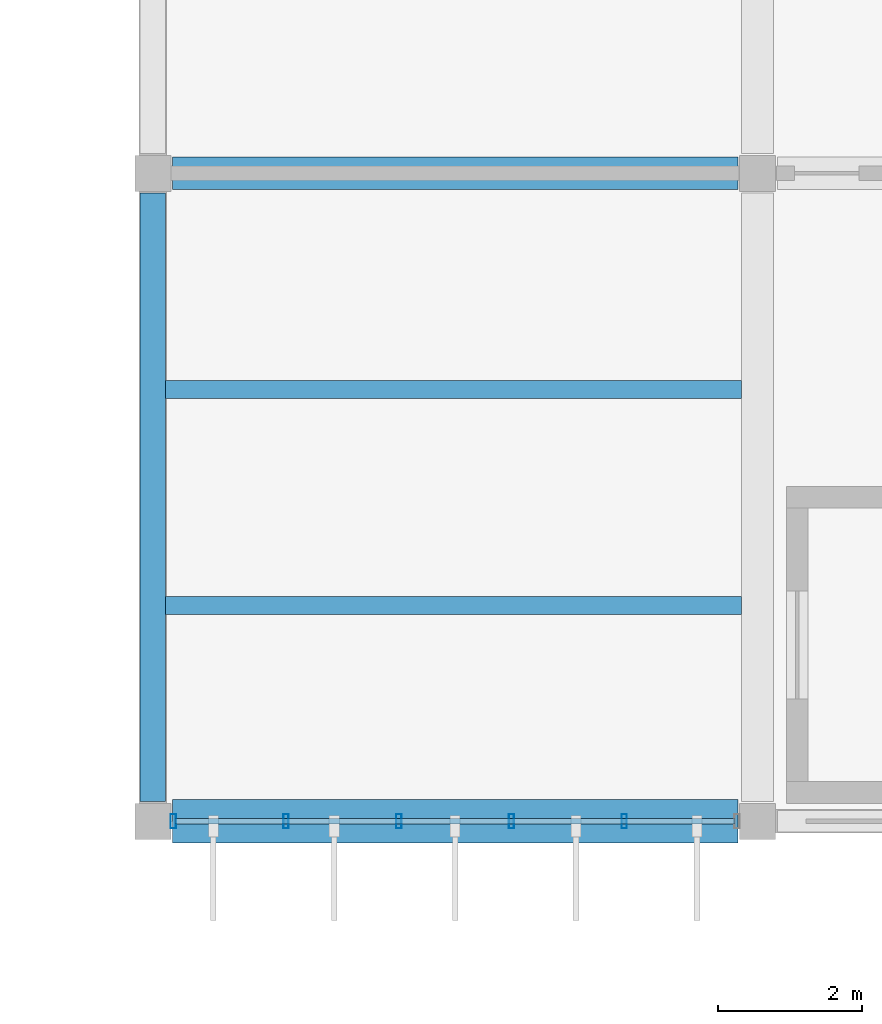
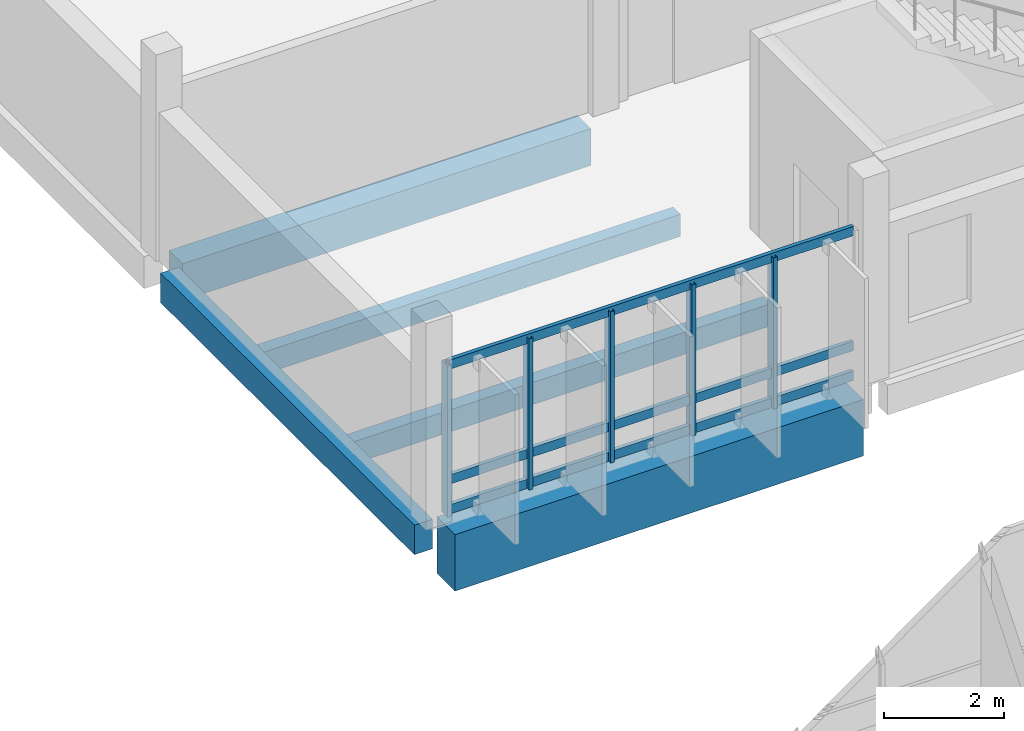
# One storey, part 36 of 107: 8 members, 5 beams, 1 element without a shape of its own.
"""IFC4 building model written with IfcOpenShell, lengths in metres."""

from ifc_helpers import new_model, si_unit, direction, frame, origin, origin_2d, place, context, subcontext, project, spatial, rectangle, hollow_rectangle, extrude, material, layer, layer_set, material_profile, profile_set, type_object, element, aggregate, save


model = new_model("IFC4")

# Units and contexts
model_context = context("Model", 3, precision=1e-05, world=origin(), true_north=direction((0.0, 1.0)))
body_context = subcontext(model_context, "Body", "Model", "MODEL_VIEW")
ifc_project = project(units=[si_unit("LENGTHUNIT", "METRE"), si_unit("AREAUNIT", "SQUARE_METRE"), si_unit("VOLUMEUNIT", "CUBIC_METRE"), si_unit("PLANEANGLEUNIT", "RADIAN"), si_unit("MASSUNIT", "GRAM", prefix="KILO")], contexts=[model_context])

# Site, building, storey
site_placement = place(None, origin())
site = spatial("IfcSite", under=ifc_project, at=site_placement, CompositionType="ELEMENT")
building_placement = place(site_placement, origin())
building = spatial("IfcBuilding", under=site, at=building_placement, Name="Vireocrest Preparatory School", CompositionType="ELEMENT")
storey_placement = place(building_placement, frame((0.0, 0.0, 13.199951171875)))
storey = spatial("IfcBuildingStorey", under=building, at=storey_placement, Name="L03", CompositionType="ELEMENT", Elevation=13.199951171875)

# Curtain wall, members
ifc_material_1 = material(Name="Thermally broken aluminium EN AW-6063-T6", Category="aluminium")
ifc_layer = layer(ifc_material_1, 0.179931640625)
ifc_layer_set = layer_set([ifc_layer], Name="Thermally broken aluminium EN AW-6063-T6")
curtain_wall_type = type_object("IfcCurtainWallType", Name="Botanical Lab Glazing 8400x3400", PredefinedType="USERDEFINED", material=ifc_layer_set)
curtain_wall_placement = place(storey_placement, origin())
curtain_wall = element("IfcCurtainWall", 1, at=curtain_wall_placement, inside=storey, type_object=curtain_wall_type, Name="Curtain Wall CW15 CW_L03_CW15_0422_0948_132", ObjectType="CURTAIN WALL", PredefinedType="USERDEFINED")
ifc_material_profile_1 = material_profile(ifc_material_1, hollow_rectangle(XDim=0.074951171875, YDim=0.199951171875, WallThickness=0.0048828125, at=origin_2d()), Name="ALU 75x200x5")
ifc_profile_set_1 = profile_set([ifc_material_profile_1], Name="Thermally broken aluminium EN AW-6063-T6")
member_type_1 = type_object("IfcMemberType", Name="CW Mullion 75x200x5", PredefinedType="MULLION", material=ifc_profile_set_1)
member_1_placement = place(storey_placement, frame((42.284912109375, 94.800048828125, 0.0), z_axis=(0.0, 0.0, 1.0), x_axis=(1.0, 0.0, 0.0)))
member_1 = element("IfcMember", 2, at=member_1_placement, type_object=member_type_1, Name="CW Mullion ML3 CW_L03_CW15_0422_0948_132-1", PredefinedType="MULLION", context=body_context, shape_type="SweptSolid", body=[
    extrude(hollow_rectangle(XDim=0.074951171875, YDim=0.199951171875, WallThickness=0.0048828125, at=origin_2d()), origin(), (0.0, 0.0, 1.0), 3.074951171875),
])
member_2_placement = place(storey_placement, frame((43.85107421875, 94.800048828125, 0.0), z_axis=(0.0, 0.0, 1.0), x_axis=(1.0, 0.0, 0.0)))
member_2 = element("IfcMember", 3, at=member_2_placement, type_object=member_type_1, Name="CW Mullion ML3 CW_L03_CW15_0422_0948_132-2", PredefinedType="MULLION", context=body_context, shape_type="SweptSolid", body=[
    extrude(hollow_rectangle(XDim=0.074951171875, YDim=0.199951171875, WallThickness=0.0048828125, at=origin_2d()), origin(), (0.0, 0.0, 1.0), 3.074951171875),
])
member_3_placement = place(storey_placement, frame((45.4169921875, 94.800048828125, 0.0), z_axis=(0.0, 0.0, 1.0), x_axis=(1.0, 0.0, 0.0)))
member_3 = element("IfcMember", 4, at=member_3_placement, type_object=member_type_1, Name="CW Mullion ML3 CW_L03_CW15_0422_0948_132-3", PredefinedType="MULLION", context=body_context, shape_type="SweptSolid", body=[
    extrude(hollow_rectangle(XDim=0.074951171875, YDim=0.199951171875, WallThickness=0.0048828125, at=origin_2d()), origin(), (0.0, 0.0, 1.0), 3.074951171875),
])
member_4_placement = place(storey_placement, frame((46.98291015625, 94.800048828125, 0.0), z_axis=(0.0, 0.0, 1.0), x_axis=(1.0, 0.0, 0.0)))
member_4 = element("IfcMember", 5, at=member_4_placement, type_object=member_type_1, Name="CW Mullion ML3 CW_L03_CW15_0422_0948_132-4", PredefinedType="MULLION", context=body_context, shape_type="SweptSolid", body=[
    extrude(hollow_rectangle(XDim=0.074951171875, YDim=0.199951171875, WallThickness=0.0048828125, at=origin_2d()), origin(), (0.0, 0.0, 1.0), 3.074951171875),
])
member_5_placement = place(storey_placement, frame((48.549072265625, 94.800048828125, 0.0), z_axis=(0.0, 0.0, 1.0), x_axis=(1.0, 0.0, 0.0)))
member_5 = element("IfcMember", 6, at=member_5_placement, type_object=member_type_1, Name="CW Mullion ML3 CW_L03_CW15_0422_0948_132-5", PredefinedType="MULLION", context=body_context, shape_type="SweptSolid", body=[
    extrude(hollow_rectangle(XDim=0.074951171875, YDim=0.199951171875, WallThickness=0.0048828125, at=origin_2d()), origin(), (0.0, 0.0, 1.0), 3.074951171875),
])
ifc_material_profile_2 = material_profile(ifc_material_1, hollow_rectangle(XDim=0.074951171875, YDim=0.18994140625, WallThickness=0.00390625, at=origin_2d()), Name="ALU 75x190x4")
ifc_profile_set_2 = profile_set([ifc_material_profile_2], Name="Thermally broken aluminium EN AW-6063-T6")
member_type_2 = type_object("IfcMemberType", Name="CW Transom 75x190x4", PredefinedType="USERDEFINED", material=ifc_profile_set_2)
member_6_placement = place(storey_placement, frame((42.31005859375, 94.800048828125, 0.094970703125), z_axis=(1.0, 0.0, 0.0), x_axis=(0.0, 1.0, 0.0)))
member_6 = element("IfcMember", 7, at=member_6_placement, type_object=member_type_2, Name="CW Transom TR3 CW_L03_CW15_0422_0948_132-1", ObjectType="TRANSOM", PredefinedType="USERDEFINED", context=body_context, shape_type="SweptSolid", body=[
    extrude(hollow_rectangle(XDim=0.074951171875, YDim=0.18994140625, WallThickness=0.00390625, at=origin_2d()), origin(), (0.0, 0.0, 1.0), 7.780029296875),
])
member_7_placement = place(storey_placement, frame((42.31005859375, 94.800048828125, 0.699951171875), z_axis=(1.0, 0.0, 0.0), x_axis=(0.0, 1.0, 0.0)))
member_7 = element("IfcMember", 8, at=member_7_placement, type_object=member_type_2, Name="CW Transom TR3 CW_L03_CW15_0422_0948_132-2", ObjectType="TRANSOM", PredefinedType="USERDEFINED", context=body_context, shape_type="SweptSolid", body=[
    extrude(hollow_rectangle(XDim=0.074951171875, YDim=0.18994140625, WallThickness=0.00390625, at=origin_2d()), origin(), (0.0, 0.0, 1.0), 7.780029296875),
])
member_8_placement = place(storey_placement, frame((42.31005859375, 94.800048828125, 3.03515625), z_axis=(1.0, 0.0, 0.0), x_axis=(0.0, 1.0, 0.0)))
member_8 = element("IfcMember", 9, at=member_8_placement, type_object=member_type_2, Name="CW Transom TR3 CW_L03_CW15_0422_0948_132-3", ObjectType="TRANSOM", PredefinedType="USERDEFINED", context=body_context, shape_type="SweptSolid", body=[
    extrude(hollow_rectangle(XDim=0.074951171875, YDim=0.18994140625, WallThickness=0.00390625, at=origin_2d()), origin(), (0.0, 0.0, 1.0), 7.780029296875),
])
aggregate(curtain_wall, [member_1, member_2, member_3, member_4, member_5, member_6, member_7, member_8])

# Beams
ifc_material_2 = material(Name="Concrete 40 MPa", Category="concrete")
ifc_material_profile_3 = material_profile(ifc_material_2, rectangle(XDim=0.35009765625, YDim=0.60009765625, at=origin_2d()), Name="RC 350x600")
ifc_profile_set_3 = profile_set([ifc_material_profile_3], Name="Concrete 40 MPa")
beam_type_1 = type_object("IfcBeamType", Name="RC Classroom Girder 350x600", PredefinedType="BEAM", material=ifc_profile_set_3)
beam_1_placement = place(storey_placement, frame((42.0, 95.074951171875, -0.5400390625), z_axis=(0.0, 1.0, 0.0), x_axis=(-1.0, 0.0, 0.0)))
element("IfcBeam", 10, at=beam_1_placement, inside=storey, type_object=beam_type_1, Name="Primary Girder B04 L03-1113", PredefinedType="BEAM", context=body_context, shape_type="SweptSolid", body=[
    extrude(rectangle(XDim=0.35009765625, YDim=0.60009765625, at=origin_2d()), origin(), (0.0, 0.0, 1.0), 8.449951171875),
])
ifc_material_profile_4 = material_profile(ifc_material_2, rectangle(XDim=0.60009765625, YDim=1.14990234375, at=origin_2d()), Name="RC 600x1150")
ifc_profile_set_4 = profile_set([ifc_material_profile_4], Name="Concrete 40 MPa")
beam_type_2 = type_object("IfcBeamType", Name="RC Heavy Transfer Girder 600x1150", PredefinedType="BEAM", material=ifc_profile_set_4)
beam_2_placement = place(storey_placement, frame((42.27490234375, 94.800048828125, -0.81494140625), z_axis=(1.0, 0.0, 0.0), x_axis=(0.0, 1.0, 0.0)))
element("IfcBeam", 11, at=beam_2_placement, inside=storey, type_object=beam_type_2, Name="Primary Girder B20 L03-1080", PredefinedType="BEAM", context=body_context, shape_type="SweptSolid", body=[
    extrude(rectangle(XDim=0.60009765625, YDim=1.14990234375, at=origin_2d()), origin(), (0.0, 0.0, 1.0), 7.85009765625),
])
ifc_material_profile_5 = material_profile(ifc_material_2, rectangle(XDim=0.449951171875, YDim=0.75, at=origin_2d()), Name="RC 450x750")
ifc_profile_set_5 = profile_set([ifc_material_profile_5], Name="Concrete 40 MPa")
beam_type_3 = type_object("IfcBeamType", Name="RC Library Stack Girder 450x750", PredefinedType="BEAM", material=ifc_profile_set_5)
beam_3_placement = place(storey_placement, frame((42.27490234375, 103.800048828125, -0.614990234375), z_axis=(1.0, 0.0, 0.0), x_axis=(0.0, 1.0, 0.0)))
element("IfcBeam", 12, at=beam_3_placement, inside=storey, type_object=beam_type_3, Name="Primary Girder B11 L03-1089", PredefinedType="BEAM", context=body_context, shape_type="SweptSolid", body=[
    extrude(rectangle(XDim=0.449951171875, YDim=0.75, at=origin_2d()), origin(), (0.0, 0.0, 1.0), 7.85009765625),
])
ifc_material_profile_6 = material_profile(ifc_material_2, rectangle(XDim=0.25, YDim=0.449951171875, at=origin_2d()), Name="RC 250x450")
ifc_profile_set_6 = profile_set([ifc_material_profile_6], Name="Concrete 40 MPa")
beam_type_4 = type_object("IfcBeamType", Name="RC Secondary Floor Joist 250x450", PredefinedType="JOIST", material=ifc_profile_set_6)
for number, where, z_axis, x_axis, name in (
    (13, (42.175048828125, 97.800048828125, -0.46484375), (1.0, 0.0, 0.0), (0.0, 1.0, 0.0), "Secondary Joist J01 L03-1195"),
    (14, (42.175048828125, 100.800048828125, -0.46484375), (1.0, 0.0, 0.0), (0.0, 1.0, 0.0), "Secondary Joist J01 L03-1196"),
):
    element("IfcBeam", number, at=place(storey_placement, frame(where, z_axis=z_axis, x_axis=x_axis)), inside=storey, type_object=beam_type_4, Name=name, PredefinedType="JOIST", context=body_context, shape_type="SweptSolid", body=[
        extrude(rectangle(XDim=0.25, YDim=0.449951171875, at=origin_2d()), origin(), (0.0, 0.0, 1.0), 8.0),
    ])

save(model, "model.ifc")
